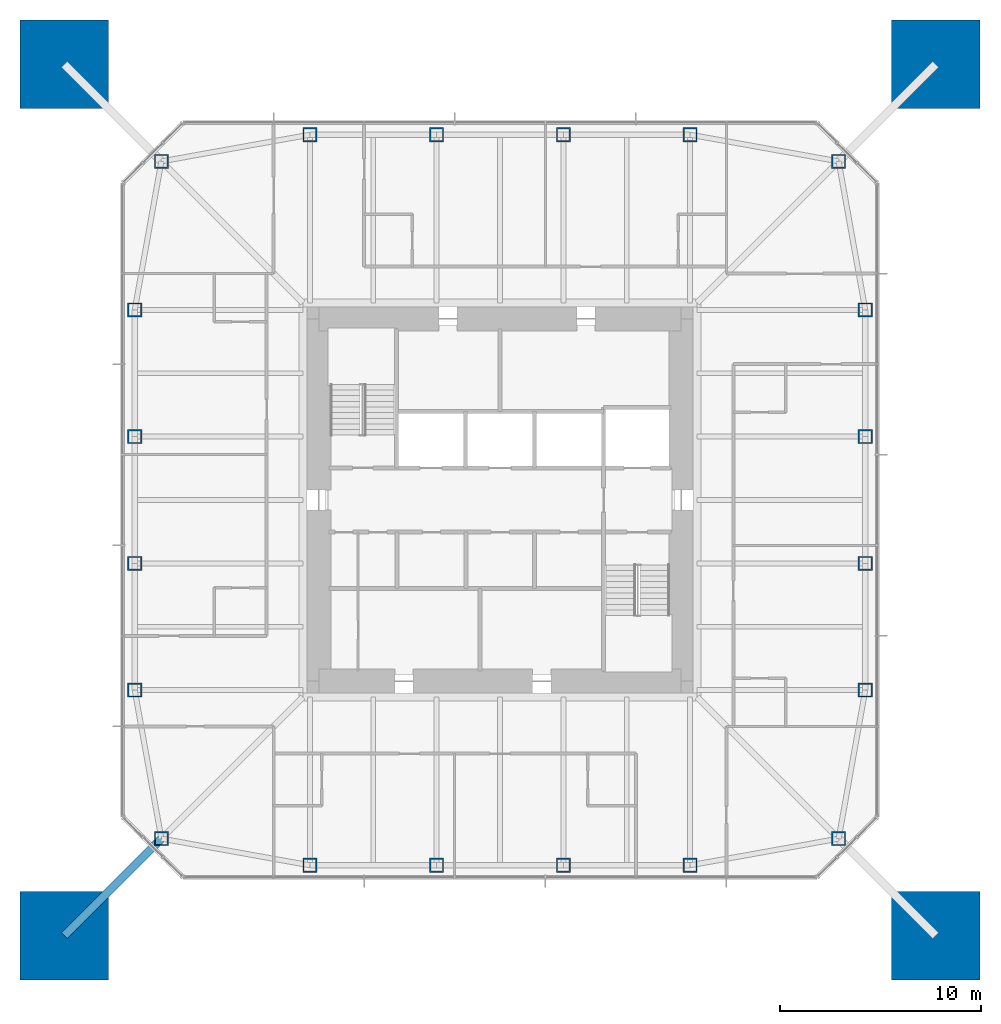
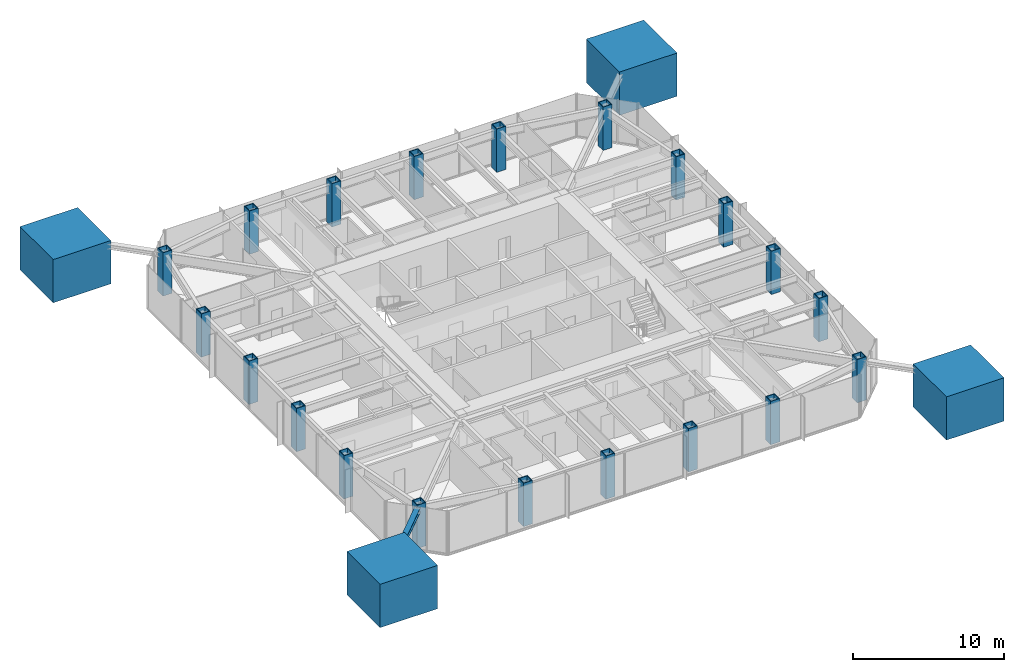
# One storey, part 1 of 11: 24 columns, 1 member.
"""IFC4 building model written with IfcOpenShell, lengths in metres."""

from ifc_helpers import new_model, si_unit, direction, frame, origin, origin_2d, place, context, subcontext, project, spatial, rectangle, hollow_rectangle, i_section, extrude, material, material_profile, profile_set, type_object, element, save


model = new_model("IFC4")

# Units and contexts
model_context = context("Model", 3, precision=1e-05, world=origin(), true_north=direction((0.0, 1.0)))
body_context = subcontext(model_context, "Body", "Model", "MODEL_VIEW")
ifc_project = project(units=[si_unit("LENGTHUNIT", "METRE"), si_unit("AREAUNIT", "SQUARE_METRE"), si_unit("VOLUMEUNIT", "CUBIC_METRE"), si_unit("PLANEANGLEUNIT", "RADIAN"), si_unit("MASSUNIT", "GRAM", prefix="KILO")], contexts=[model_context])

# Site, building, storey
site_placement = place(None, origin())
site = spatial("IfcSite", under=ifc_project, at=site_placement, CompositionType="ELEMENT")
building_placement = place(site_placement, origin())
building = spatial("IfcBuilding", under=site, at=building_placement, Name="Iwan Alto Co-Living Towers", CompositionType="ELEMENT")
storey_placement = place(building_placement, frame((0.0, 0.0, 195.0)))
storey = spatial("IfcBuildingStorey", under=building, at=storey_placement, Name="L53", CompositionType="ELEMENT", Elevation=195.0)

# Columns
ifc_material_1 = material(Name="Concrete f'c 70 MPa", Category="concrete")
ifc_material_profile_1 = material_profile(ifc_material_1, rectangle(XDim=4.39990234375, YDim=4.39990234375, at=origin_2d()), Name="RC 4400X4400")
ifc_profile_set_1 = profile_set([ifc_material_profile_1], Name="Concrete f'c 70 MPa")
column_type_1 = type_object("IfcColumnType", Name="T1 MEGA COLUMN RC 4400X4400", PredefinedType="COLUMN", material=ifc_profile_set_1)
for number, where, z_axis, x_axis, name in (
    (1, (-21.64990234375, -21.64990234375, 0.0), (0.0, 0.0, 1.0), (1.0, 0.0, 0.0), "T1 mega column SW L53"),
    (2, (21.64990234375, -21.64990234375, 0.0), (0.0, 0.0, 1.0), (1.0, 0.0, 0.0), "T1 mega column SE L53"),
    (3, (21.64990234375, 21.64990234375, 0.0), (0.0, 0.0, 1.0), (1.0, 0.0, 0.0), "T1 mega column NE L53"),
    (4, (-21.64990234375, 21.64990234375, 0.0), (0.0, 0.0, 1.0), (1.0, 0.0, 0.0), "T1 mega column NW L53"),
):
    element("IfcColumn", number, at=place(storey_placement, frame(where, z_axis=z_axis, x_axis=x_axis)), inside=storey, type_object=column_type_1, Name=name, PredefinedType="COLUMN", context=body_context, shape_type="SweptSolid", body=[
        extrude(rectangle(XDim=4.39990234375, YDim=4.39990234375, at=origin_2d()), origin(), (0.0, 0.0, 1.0), 3.5),
        extrude(i_section(OverallWidth=0.4775390625, OverallDepth=0.599365234375, WebThickness=0.10009765625, FlangeThickness=0.139892578125, at=origin_2d()), origin(), (0.0, 0.0, 1.0), 3.5),
    ])
ifc_material_2 = material(Name="Steel ASTM A572 Gr 50", Category="steel")
ifc_material_profile_2 = material_profile(ifc_material_2, hollow_rectangle(XDim=0.699951171875, YDim=0.699951171875, WallThickness=0.06005859375, at=origin_2d()), Name="BOX 700X700X60")
ifc_profile_set_2 = profile_set([ifc_material_profile_2], Name="Steel ASTM A572 Gr 50")
column_type_2 = type_object("IfcColumnType", Name="T1 RING COLUMN BOX 700X700X60", PredefinedType="COLUMN", material=ifc_profile_set_2)
for number, where, z_axis, x_axis, name in (
    (5, (-16.82568359375, -16.82568359375, 0.0), (0.0, 0.0, 1.0), (1.0, 0.0, 0.0), "T1 ring column CSW L53"),
    (6, (-9.449951171875, -18.14990234375, 0.0), (0.0, 0.0, 1.0), (1.0, 0.0, 0.0), "T1 ring column S1 L53"),
    (7, (-3.14990234375, -18.14990234375, 0.0), (0.0, 0.0, 1.0), (1.0, 0.0, 0.0), "T1 ring column S2 L53"),
    (8, (3.14990234375, -18.14990234375, 0.0), (0.0, 0.0, 1.0), (1.0, 0.0, 0.0), "T1 ring column S3 L53"),
    (9, (9.449951171875, -18.14990234375, 0.0), (0.0, 0.0, 1.0), (1.0, 0.0, 0.0), "T1 ring column S4 L53"),
    (10, (16.82568359375, -16.82568359375, 0.0), (0.0, 0.0, 1.0), (1.0, 0.0, 0.0), "T1 ring column CSE L53"),
    (11, (18.14990234375, -9.449951171875, 0.0), (0.0, 0.0, 1.0), (1.0, 0.0, 0.0), "T1 ring column E1 L53"),
    (12, (18.14990234375, -3.14990234375, 0.0), (0.0, 0.0, 1.0), (1.0, 0.0, 0.0), "T1 ring column E2 L53"),
    (13, (18.14990234375, 3.14990234375, 0.0), (0.0, 0.0, 1.0), (1.0, 0.0, 0.0), "T1 ring column E3 L53"),
    (14, (18.14990234375, 9.449951171875, 0.0), (0.0, 0.0, 1.0), (1.0, 0.0, 0.0), "T1 ring column E4 L53"),
    (15, (16.82568359375, 16.82568359375, 0.0), (0.0, 0.0, 1.0), (1.0, 0.0, 0.0), "T1 ring column CNE L53"),
    (16, (9.449951171875, 18.14990234375, 0.0), (0.0, 0.0, 1.0), (1.0, 0.0, 0.0), "T1 ring column N1 L53"),
    (17, (3.14990234375, 18.14990234375, 0.0), (0.0, 0.0, 1.0), (1.0, 0.0, 0.0), "T1 ring column N2 L53"),
    (18, (-3.14990234375, 18.14990234375, 0.0), (0.0, 0.0, 1.0), (1.0, 0.0, 0.0), "T1 ring column N3 L53"),
    (19, (-9.449951171875, 18.14990234375, 0.0), (0.0, 0.0, 1.0), (1.0, 0.0, 0.0), "T1 ring column N4 L53"),
    (20, (-16.82568359375, 16.82568359375, 0.0), (0.0, 0.0, 1.0), (1.0, 0.0, 0.0), "T1 ring column CNW L53"),
    (21, (-18.14990234375, 9.449951171875, 0.0), (0.0, 0.0, 1.0), (1.0, 0.0, 0.0), "T1 ring column W1 L53"),
    (22, (-18.14990234375, 3.14990234375, 0.0), (0.0, 0.0, 1.0), (1.0, 0.0, 0.0), "T1 ring column W2 L53"),
    (23, (-18.14990234375, -3.14990234375, 0.0), (0.0, 0.0, 1.0), (1.0, 0.0, 0.0), "T1 ring column W3 L53"),
    (24, (-18.14990234375, -9.449951171875, 0.0), (0.0, 0.0, 1.0), (1.0, 0.0, 0.0), "T1 ring column W4 L53"),
):
    element("IfcColumn", number, at=place(storey_placement, frame(where, z_axis=z_axis, x_axis=x_axis)), inside=storey, type_object=column_type_2, Name=name, PredefinedType="COLUMN", context=body_context, shape_type="SweptSolid", body=[
        extrude(hollow_rectangle(XDim=0.699951171875, YDim=0.699951171875, WallThickness=0.06005859375, at=origin_2d()), origin(), (0.0, 0.0, 1.0), 3.5),
    ])

# Member
ifc_material_3 = material(Name="Steel ASTM A992 Gr 50", Category="steel")
ifc_material_profile_3 = material_profile(ifc_material_3, i_section(OverallWidth=0.393798828125, OverallDepth=0.3759765625, WebThickness=0.017333984375, FlangeThickness=0.027587890625, at=origin_2d()), Name="W14X145")
ifc_profile_set_3 = profile_set([ifc_material_profile_3], Name="Steel ASTM A992 Gr 50")
member_type = type_object("IfcMemberType", Name="T1 MEGA COLUMN FLOOR TIE W14X145", PredefinedType="STRUT", material=ifc_profile_set_3)
member_placement = place(storey_placement, frame((-21.64990234375, -21.64990234375, 3.08203125), z_axis=(0.707106781187, 0.707106781187, 0.0), x_axis=(-0.707106781187, 0.707106781187, 0.0)))
element("IfcMember", 25, at=member_placement, inside=storey, type_object=member_type, Name="T1 mega column floor tie SW L54", PredefinedType="STRUT", context=body_context, shape_type="SweptSolid", body=[
    extrude(i_section(OverallWidth=0.393798828125, OverallDepth=0.3759765625, WebThickness=0.017333984375, FlangeThickness=0.027587890625, at=origin_2d()), origin(), (0.0, 0.0, 1.0), 6.822509765625),
])

save(model, "model.ifc")
